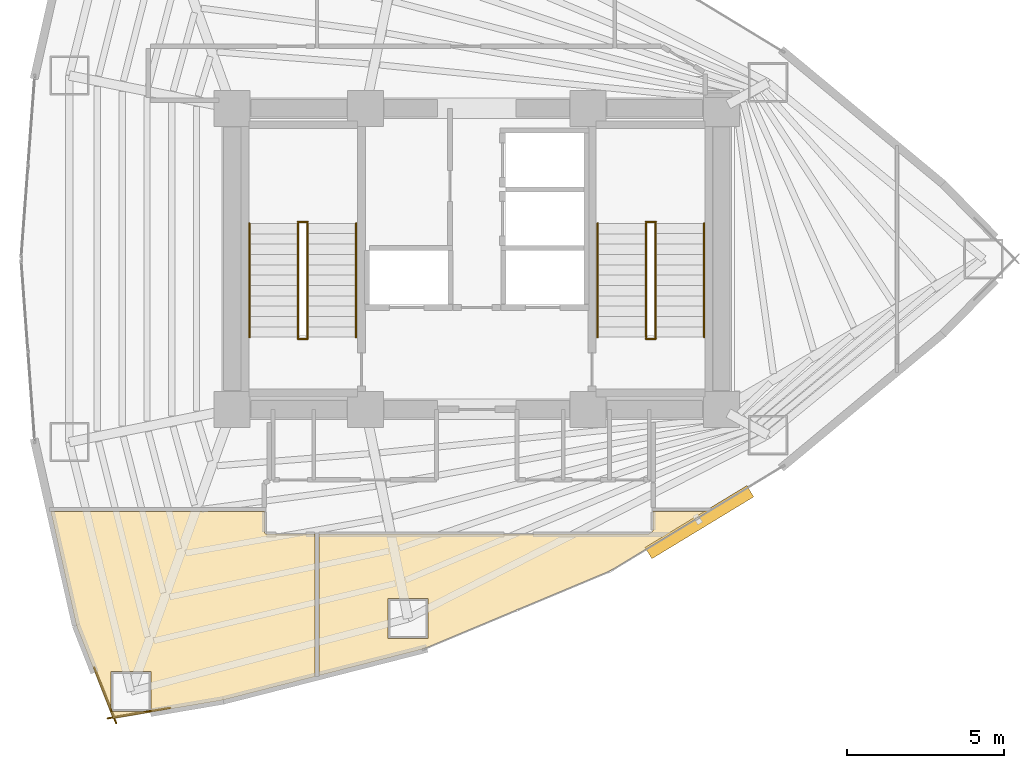
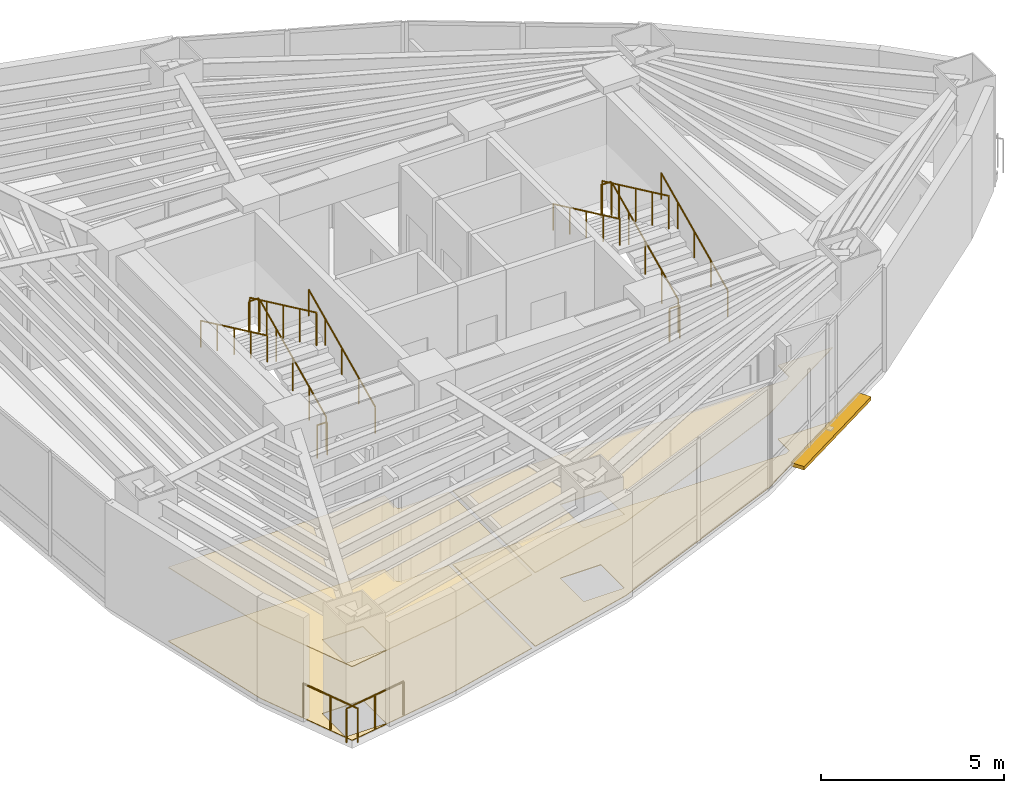
# One storey, part 17 of 18: 14 railings, 4 coverings, 1 shading device.
"""IFC4 building model written with IfcOpenShell, lengths in metres."""

from ifc_helpers import new_model, si_unit, direction, frame, origin, origin_2d, place, context, subcontext, project, spatial, polyline, rectangle, circle, outline, extrude, material, layer, layer_set, type_object, element, save


model = new_model("IFC4")

# Units and contexts
model_context = context("Model", 3, precision=1e-05, world=origin(), true_north=direction((0.0, 1.0)))
body_context = subcontext(model_context, "Body", "Model", "MODEL_VIEW")
ifc_project = project(units=[si_unit("LENGTHUNIT", "METRE"), si_unit("AREAUNIT", "SQUARE_METRE"), si_unit("VOLUMEUNIT", "CUBIC_METRE"), si_unit("PLANEANGLEUNIT", "RADIAN"), si_unit("MASSUNIT", "GRAM", prefix="KILO")], contexts=[model_context])

# Site, building, storey
site_placement = place(None, origin())
site = spatial("IfcSite", under=ifc_project, at=site_placement, CompositionType="ELEMENT")
building_placement = place(site_placement, origin())
building = spatial("IfcBuilding", under=site, at=building_placement, Name="Menara Vayukalpa", CompositionType="ELEMENT")
storey_placement = place(building_placement, frame((0.0, 0.0, 126.300048828125)))
storey = spatial("IfcBuildingStorey", under=building, at=storey_placement, Name="L31", CompositionType="ELEMENT", Elevation=126.300048828125)

# Coverings
ifc_material_1 = material(Name="Mineral Fibre Acoustic Ceiling Tile", Category="masonry")
ifc_layer_1 = layer(ifc_material_1, 0.02490234375)
ifc_layer_set_1 = layer_set([ifc_layer_1], Name="Mineral Fibre Acoustic Ceiling Tile")
covering_type_1 = type_object("IfcCoveringType", Name="COV-CLG1", PredefinedType="CEILING", material=ifc_layer_set_1)
covering_1_placement = place(storey_placement, frame((0.0, 0.0, 2.449951171875)))
element("IfcCovering", 1, at=covering_1_placement, inside=storey, type_object=covering_type_1, Name="L31 Technical Reference Library Acoustic Ceiling", PredefinedType="CEILING", context=body_context, shape_type="SweptSolid", body=[
    extrude(outline(polyline([(14.00830078125, 7.33642578125), (14.00732421875, 7.33642578125), (14.00634765625, 7.33642578125), (14.005615234375, 7.33642578125), (14.00439453125, 7.336669921875), (14.003662109375, 7.3369140625), (14.002685546875, 7.33740234375), (14.001708984375, 7.337646484375), (14.0009765625, 7.338134765625), (14.000244140625, 7.3388671875), (13.99951171875, 7.339599609375), (13.998779296875, 7.340087890625), (13.998291015625, 7.341064453125), (13.997802734375, 7.341796875), (13.997314453125, 7.3427734375), (12.831787109375, 10.310791015625), (12.83154296875, 10.3115234375), (12.831298828125, 10.312255859375), (12.017822265625, 13.927734375), (12.017578125, 13.9287109375), (12.017578125, 13.9296875), (12.017578125, 13.930908203125), (12.017822265625, 13.931884765625), (12.01806640625, 13.9326171875), (12.018310546875, 13.93359375), (12.018798828125, 13.9345703125), (12.019287109375, 13.935302734375), (12.019775390625, 13.936279296875), (12.0205078125, 13.93701171875), (12.021240234375, 13.937744140625), (12.02197265625, 13.938232421875), (12.022705078125, 13.938720703125), (12.023681640625, 13.939208984375), (12.024658203125, 13.939697265625), (12.025634765625, 13.939697265625), (12.026611328125, 13.93994140625), (12.027587890625, 13.93994140625), (18.820068359375, 13.93994140625), (18.821044921875, 13.93994140625), (18.822021484375, 13.939697265625), (18.822998046875, 13.939697265625), (18.82373046875, 13.939208984375), (18.82470703125, 13.938720703125), (18.82568359375, 13.938232421875), (18.826416015625, 13.937744140625), (18.8271484375, 13.93701171875), (18.82763671875, 13.936279296875), (18.828369140625, 13.935546875), (18.828857421875, 13.934814453125), (18.8291015625, 13.933837890625), (18.82958984375, 13.932861328125), (18.829833984375, 13.931884765625), (18.830078125, 13.930908203125), (18.830078125, 13.929931640625), (18.830078125, 13.290283203125), (18.830322265625, 13.283203125), (18.831298828125, 13.2763671875), (18.8330078125, 13.269775390625), (18.835205078125, 13.26318359375), (18.838134765625, 13.257080078125), (18.841796875, 13.251220703125), (18.845947265625, 13.24560546875), (18.8505859375, 13.240478515625), (18.85546875, 13.236083984375), (18.861083984375, 13.231689453125), (18.866943359375, 13.228271484375), (18.873291015625, 13.225341796875), (18.879638671875, 13.222900390625), (18.88623046875, 13.22119140625), (18.893310546875, 13.220458984375), (18.900390625, 13.219970703125), (20.429931640625, 13.219970703125), (20.430908203125, 13.219970703125), (20.431884765625, 13.2197265625), (20.432861328125, 13.219482421875), (20.433837890625, 13.21923828125), (20.434814453125, 13.21875), (20.435546875, 13.21826171875), (20.436279296875, 13.2177734375), (20.43701171875, 13.217041015625), (20.437744140625, 13.21630859375), (20.438232421875, 13.215576171875), (20.438720703125, 13.214599609375), (20.439208984375, 13.2138671875), (20.439697265625, 13.212890625), (20.439697265625, 13.2119140625), (20.43994140625, 13.2109375), (20.43994140625, 13.2099609375), (20.43994140625, 8.686279296875), (20.43994140625, 8.685302734375), (20.439697265625, 8.68408203125), (20.439453125, 8.68310546875), (20.439208984375, 8.68212890625), (20.438720703125, 8.681396484375), (20.438232421875, 8.680419921875), (20.4375, 8.6796875), (20.43701171875, 8.678955078125), (20.43603515625, 8.67822265625), (20.435302734375, 8.677734375), (20.434326171875, 8.67724609375), (20.433349609375, 8.6767578125), (20.4326171875, 8.676513671875), (17.5087890625, 7.930908203125), (17.5078125, 7.9306640625), (14.00830078125, 7.33642578125)]), holes=[polyline([(15.208984375, 8.842529296875), (13.92919921875, 8.842529296875), (13.92919921875, 7.5625), (15.208984375, 7.5625), (15.208984375, 8.842529296875)])]), origin(), (0.0, 0.0, 1.0), 0.02490234375),
])
covering_2_placement = place(storey_placement, frame((0.0, 0.0, 2.449951171875)))
element("IfcCovering", 2, at=covering_2_placement, inside=storey, type_object=covering_type_1, Name="L31 Technical Reference Library Acoustic Ceiling", PredefinedType="CEILING", context=body_context, shape_type="SweptSolid", body=[
    extrude(outline(polyline([(29.860595703125, 12.053466796875), (23.90478515625, 9.562255859375), (23.903564453125, 9.561767578125), (20.572509765625, 8.712158203125), (20.571533203125, 8.7119140625), (20.570556640625, 8.7119140625), (20.569580078125, 8.7119140625), (20.568603515625, 8.7119140625), (20.567626953125, 8.712158203125), (20.56689453125, 8.71240234375), (20.56591796875, 8.712890625), (20.565185546875, 8.713134765625), (20.564208984375, 8.713623046875), (20.5634765625, 8.71435546875), (20.562744140625, 8.715087890625), (20.562255859375, 8.7158203125), (20.5615234375, 8.716552734375), (20.56103515625, 8.71728515625), (20.560791015625, 8.71826171875), (20.560302734375, 8.718994140625), (20.560302734375, 8.719970703125), (20.56005859375, 8.720947265625), (20.56005859375, 8.721923828125), (20.56005859375, 13.2099609375), (20.56005859375, 13.2109375), (20.560302734375, 13.2119140625), (20.560302734375, 13.212890625), (20.560791015625, 13.2138671875), (20.561279296875, 13.214599609375), (20.561767578125, 13.215576171875), (20.562255859375, 13.21630859375), (20.56298828125, 13.217041015625), (20.563720703125, 13.2177734375), (20.564453125, 13.21826171875), (20.565185546875, 13.21875), (20.566162109375, 13.21923828125), (20.567138671875, 13.219482421875), (20.568115234375, 13.2197265625), (20.569091796875, 13.219970703125), (20.570068359375, 13.219970703125), (31.048828125, 13.219970703125), (31.055419921875, 13.22021484375), (31.0615234375, 13.22119140625), (31.06787109375, 13.22265625), (31.073974609375, 13.224609375), (31.079833984375, 13.22705078125), (31.085693359375, 13.230224609375), (31.186279296875, 13.29150390625), (31.192138671875, 13.295654296875), (31.19775390625, 13.30029296875), (31.202880859375, 13.305419921875), (31.207275390625, 13.31103515625), (31.2109375, 13.317138671875), (31.214111328125, 13.323486328125), (31.216796875, 13.330078125), (31.218505859375, 13.337158203125), (31.219482421875, 13.34423828125), (31.219970703125, 13.3515625), (31.219970703125, 13.929931640625), (31.219970703125, 13.930908203125), (31.22021484375, 13.931884765625), (31.220458984375, 13.932861328125), (31.220703125, 13.933837890625), (31.22119140625, 13.934814453125), (31.2216796875, 13.935546875), (31.222412109375, 13.936279296875), (31.222900390625, 13.93701171875), (31.2236328125, 13.937744140625), (31.224365234375, 13.938232421875), (31.225341796875, 13.938720703125), (31.226318359375, 13.939208984375), (31.22705078125, 13.939697265625), (31.22802734375, 13.939697265625), (31.22900390625, 13.93994140625), (31.22998046875, 13.93994140625), (32.9306640625, 13.93994140625), (32.931640625, 13.93994140625), (32.9326171875, 13.939697265625), (32.93359375, 13.939697265625), (32.9345703125, 13.939208984375), (32.935546875, 13.938720703125), (32.936279296875, 13.938232421875), (32.93701171875, 13.937744140625), (32.93798828125, 13.93701171875), (32.9384765625, 13.936279296875), (32.939208984375, 13.935302734375), (32.939697265625, 13.9345703125), (32.93994140625, 13.93359375), (32.940185546875, 13.9326171875), (32.940673828125, 13.931640625), (32.940673828125, 13.9306640625), (32.940673828125, 13.9296875), (32.940673828125, 13.9287109375), (32.9404296875, 13.927734375), (32.940185546875, 13.9267578125), (32.939697265625, 13.92578125), (32.939208984375, 13.925048828125), (32.938720703125, 13.924072265625), (32.938232421875, 13.92333984375), (32.9375, 13.922607421875), (32.936767578125, 13.922119140625), (32.935791015625, 13.92138671875), (29.862060546875, 12.05419921875), (29.861328125, 12.0537109375), (29.860595703125, 12.053466796875)]), holes=[polyline([(24.048095703125, 11.172607421875), (22.768310546875, 11.172607421875), (22.768310546875, 9.892578125), (24.048095703125, 9.892578125), (24.048095703125, 11.172607421875)])]), origin(), (0.0, 0.0, 1.0), 0.02490234375),
])
ifc_material_2 = material(Name="Porcelain Stoneware Floor Tile", Category="masonry")
ifc_layer_2 = layer(ifc_material_2, 0.02001953125)
ifc_layer_set_2 = layer_set([ifc_layer_2], Name="Porcelain Stoneware Floor Tile")
covering_type_2 = type_object("IfcCoveringType", Name="COV-FLR1", PredefinedType="FLOORING", material=ifc_layer_set_2)
covering_3_placement = place(storey_placement, origin())
element("IfcCovering", 3, at=covering_3_placement, inside=storey, type_object=covering_type_2, Name="L31 Technical Reference Library Porcelain Flooring", PredefinedType="FLOORING", context=body_context, shape_type="SweptSolid", body=[
    extrude(outline(polyline([(14.00830078125, 7.33642578125), (14.00732421875, 7.33642578125), (14.00634765625, 7.33642578125), (14.005615234375, 7.33642578125), (14.00439453125, 7.336669921875), (14.003662109375, 7.3369140625), (14.002685546875, 7.33740234375), (14.001708984375, 7.337646484375), (14.0009765625, 7.338134765625), (14.000244140625, 7.3388671875), (13.99951171875, 7.339599609375), (13.998779296875, 7.340087890625), (13.998291015625, 7.341064453125), (13.997802734375, 7.341796875), (13.997314453125, 7.3427734375), (12.831787109375, 10.310791015625), (12.83154296875, 10.3115234375), (12.831298828125, 10.312255859375), (12.017822265625, 13.927734375), (12.017578125, 13.9287109375), (12.017578125, 13.9296875), (12.017578125, 13.930908203125), (12.017822265625, 13.931884765625), (12.01806640625, 13.9326171875), (12.018310546875, 13.93359375), (12.018798828125, 13.9345703125), (12.019287109375, 13.935302734375), (12.019775390625, 13.936279296875), (12.0205078125, 13.93701171875), (12.021240234375, 13.937744140625), (12.02197265625, 13.938232421875), (12.022705078125, 13.938720703125), (12.023681640625, 13.939208984375), (12.024658203125, 13.939697265625), (12.025634765625, 13.939697265625), (12.026611328125, 13.93994140625), (12.027587890625, 13.93994140625), (18.820068359375, 13.93994140625), (18.821044921875, 13.93994140625), (18.822021484375, 13.939697265625), (18.822998046875, 13.939697265625), (18.82373046875, 13.939208984375), (18.82470703125, 13.938720703125), (18.82568359375, 13.938232421875), (18.826416015625, 13.937744140625), (18.8271484375, 13.93701171875), (18.82763671875, 13.936279296875), (18.828369140625, 13.935546875), (18.828857421875, 13.934814453125), (18.8291015625, 13.933837890625), (18.82958984375, 13.932861328125), (18.829833984375, 13.931884765625), (18.830078125, 13.930908203125), (18.830078125, 13.929931640625), (18.830078125, 13.290283203125), (18.830322265625, 13.283203125), (18.831298828125, 13.2763671875), (18.8330078125, 13.269775390625), (18.835205078125, 13.26318359375), (18.838134765625, 13.257080078125), (18.841796875, 13.251220703125), (18.845947265625, 13.24560546875), (18.8505859375, 13.240478515625), (18.85546875, 13.236083984375), (18.861083984375, 13.231689453125), (18.866943359375, 13.228271484375), (18.873291015625, 13.225341796875), (18.879638671875, 13.222900390625), (18.88623046875, 13.22119140625), (18.893310546875, 13.220458984375), (18.900390625, 13.219970703125), (20.429931640625, 13.219970703125), (20.430908203125, 13.219970703125), (20.431884765625, 13.2197265625), (20.432861328125, 13.219482421875), (20.433837890625, 13.21923828125), (20.434814453125, 13.21875), (20.435546875, 13.21826171875), (20.436279296875, 13.2177734375), (20.43701171875, 13.217041015625), (20.437744140625, 13.21630859375), (20.438232421875, 13.215576171875), (20.438720703125, 13.214599609375), (20.439208984375, 13.2138671875), (20.439697265625, 13.212890625), (20.439697265625, 13.2119140625), (20.43994140625, 13.2109375), (20.43994140625, 13.2099609375), (20.43994140625, 8.686279296875), (20.43994140625, 8.685302734375), (20.439697265625, 8.68408203125), (20.439453125, 8.68310546875), (20.439208984375, 8.68212890625), (20.438720703125, 8.681396484375), (20.438232421875, 8.680419921875), (20.4375, 8.6796875), (20.43701171875, 8.678955078125), (20.43603515625, 8.67822265625), (20.435302734375, 8.677734375), (20.434326171875, 8.67724609375), (20.433349609375, 8.6767578125), (20.4326171875, 8.676513671875), (17.5087890625, 7.930908203125), (17.5078125, 7.9306640625), (14.00830078125, 7.33642578125)]), holes=[polyline([(15.208984375, 8.842529296875), (13.92919921875, 8.842529296875), (13.92919921875, 7.5625), (15.208984375, 7.5625), (15.208984375, 8.842529296875)])]), origin(), (0.0, 0.0, 1.0), 0.02001953125),
])
covering_4_placement = place(storey_placement, origin())
element("IfcCovering", 4, at=covering_4_placement, inside=storey, type_object=covering_type_2, Name="L31 Technical Reference Library Porcelain Flooring", PredefinedType="FLOORING", context=body_context, shape_type="SweptSolid", body=[
    extrude(outline(polyline([(29.860595703125, 12.053466796875), (23.90478515625, 9.562255859375), (23.903564453125, 9.561767578125), (20.572509765625, 8.712158203125), (20.571533203125, 8.7119140625), (20.570556640625, 8.7119140625), (20.569580078125, 8.7119140625), (20.568603515625, 8.7119140625), (20.567626953125, 8.712158203125), (20.56689453125, 8.71240234375), (20.56591796875, 8.712890625), (20.565185546875, 8.713134765625), (20.564208984375, 8.713623046875), (20.5634765625, 8.71435546875), (20.562744140625, 8.715087890625), (20.562255859375, 8.7158203125), (20.5615234375, 8.716552734375), (20.56103515625, 8.71728515625), (20.560791015625, 8.71826171875), (20.560302734375, 8.718994140625), (20.560302734375, 8.719970703125), (20.56005859375, 8.720947265625), (20.56005859375, 8.721923828125), (20.56005859375, 13.2099609375), (20.56005859375, 13.2109375), (20.560302734375, 13.2119140625), (20.560302734375, 13.212890625), (20.560791015625, 13.2138671875), (20.561279296875, 13.214599609375), (20.561767578125, 13.215576171875), (20.562255859375, 13.21630859375), (20.56298828125, 13.217041015625), (20.563720703125, 13.2177734375), (20.564453125, 13.21826171875), (20.565185546875, 13.21875), (20.566162109375, 13.21923828125), (20.567138671875, 13.219482421875), (20.568115234375, 13.2197265625), (20.569091796875, 13.219970703125), (20.570068359375, 13.219970703125), (31.048828125, 13.219970703125), (31.055419921875, 13.22021484375), (31.0615234375, 13.22119140625), (31.06787109375, 13.22265625), (31.073974609375, 13.224609375), (31.079833984375, 13.22705078125), (31.085693359375, 13.230224609375), (31.186279296875, 13.29150390625), (31.192138671875, 13.295654296875), (31.19775390625, 13.30029296875), (31.202880859375, 13.305419921875), (31.207275390625, 13.31103515625), (31.2109375, 13.317138671875), (31.214111328125, 13.323486328125), (31.216796875, 13.330078125), (31.218505859375, 13.337158203125), (31.219482421875, 13.34423828125), (31.219970703125, 13.3515625), (31.219970703125, 13.929931640625), (31.219970703125, 13.930908203125), (31.22021484375, 13.931884765625), (31.220458984375, 13.932861328125), (31.220703125, 13.933837890625), (31.22119140625, 13.934814453125), (31.2216796875, 13.935546875), (31.222412109375, 13.936279296875), (31.222900390625, 13.93701171875), (31.2236328125, 13.937744140625), (31.224365234375, 13.938232421875), (31.225341796875, 13.938720703125), (31.226318359375, 13.939208984375), (31.22705078125, 13.939697265625), (31.22802734375, 13.939697265625), (31.22900390625, 13.93994140625), (31.22998046875, 13.93994140625), (32.9306640625, 13.93994140625), (32.931640625, 13.93994140625), (32.9326171875, 13.939697265625), (32.93359375, 13.939697265625), (32.9345703125, 13.939208984375), (32.935546875, 13.938720703125), (32.936279296875, 13.938232421875), (32.93701171875, 13.937744140625), (32.93798828125, 13.93701171875), (32.9384765625, 13.936279296875), (32.939208984375, 13.935302734375), (32.939697265625, 13.9345703125), (32.93994140625, 13.93359375), (32.940185546875, 13.9326171875), (32.940673828125, 13.931640625), (32.940673828125, 13.9306640625), (32.940673828125, 13.9296875), (32.940673828125, 13.9287109375), (32.9404296875, 13.927734375), (32.940185546875, 13.9267578125), (32.939697265625, 13.92578125), (32.939208984375, 13.925048828125), (32.938720703125, 13.924072265625), (32.938232421875, 13.92333984375), (32.9375, 13.922607421875), (32.936767578125, 13.922119140625), (32.935791015625, 13.92138671875), (29.862060546875, 12.05419921875), (29.861328125, 12.0537109375), (29.860595703125, 12.053466796875)]), holes=[polyline([(24.048095703125, 11.172607421875), (22.768310546875, 11.172607421875), (22.768310546875, 9.892578125), (24.048095703125, 9.892578125), (24.048095703125, 11.172607421875)])]), origin(), (0.0, 0.0, 1.0), 0.02001953125),
])

# Railings
ifc_material_3 = material(Name="Laminated Glass and Stainless Steel 316 Guardrail", Category="steel")
railing_type_1 = type_object("IfcRailingType", Name="RLG-EXT115", PredefinedType="GUARDRAIL", material=ifc_material_3)
railing_1_placement = place(storey_placement, frame((13.39990234375, 8.9736328125, 0.0)))
element("IfcRailing", 5, at=railing_1_placement, inside=storey, type_object=railing_type_1, Name="L31 Column Corner Spandrel Guardrail 13-1", PredefinedType="GUARDRAIL", context=body_context, shape_type="SweptSolid", body=[
    extrude(circle(Radius=0.02392578125, at=origin_2d()), frame((0.0, 0.0, 1.1259765625), z_axis=(0.365573386764, -0.930782519652, 0.0), x_axis=(0.930782519652, 0.365573386764, 0.0)), (0.0, 0.0, 1.0), 1.91259765625),
    extrude(circle(Radius=0.02099609375, at=origin_2d()), origin(), (0.0, 0.0, 1.0), 1.101806640625),
    extrude(circle(Radius=0.02099609375, at=origin_2d()), frame((0.349609375, -0.89013671875, 0.0)), (0.0, 0.0, 1.0), 1.101806640625),
    extrude(circle(Radius=0.02099609375, at=origin_2d()), frame((0.69921875, -1.7802734375, 0.0)), (0.0, 0.0, 1.0), 1.101806640625),
])
railing_2_placement = place(storey_placement, frame((13.827880859375, 7.346435546875, 0.0)))
element("IfcRailing", 6, at=railing_2_placement, inside=storey, type_object=railing_type_1, Name="L31 Column Corner Spandrel Guardrail 14-1", PredefinedType="GUARDRAIL", context=body_context, shape_type="SweptSolid", body=[
    extrude(circle(Radius=0.02392578125, at=origin_2d()), frame((0.0, 0.0, 1.1259765625), z_axis=(0.985895977605, 0.16735925831, 0.0), x_axis=(-0.16735925831, 0.985895977605, 0.0)), (0.0, 0.0, 1.0), 2.01904296875),
    extrude(circle(Radius=0.02099609375, at=origin_2d()), origin(), (0.0, 0.0, 1.0), 1.101806640625),
    extrude(circle(Radius=0.02099609375, at=origin_2d()), frame((0.9951171875, 0.1689453125, 0.0)), (0.0, 0.0, 1.0), 1.101806640625),
    extrude(circle(Radius=0.02099609375, at=origin_2d()), frame((1.990478515625, 0.337890625, 0.0)), (0.0, 0.0, 1.0), 1.101806640625),
])
ifc_material_4 = material(Name="Powder-Coated Galvanised Steel Guardrail", Category="steel")
railing_type_2 = type_object("IfcRailingType", Name="RLG-STG110", PredefinedType="GUARDRAIL", material=ifc_material_4)
railing_3_placement = place(storey_placement, frame((20.199951171875, 19.5, 0.155029296875)))
element("IfcRailing", 7, at=railing_3_placement, inside=storey, type_object=railing_type_2, Name="L31 ST-1 stair guard 1", PredefinedType="GUARDRAIL", context=body_context, shape_type="SweptSolid", body=[
    extrude(circle(Radius=0.02392578125, at=origin_2d()), frame((0.0, 0.0, 1.09619140625), z_axis=(0.0, 0.90513990983, 0.425113800803), x_axis=(-1.0, 0.0, 0.0)), (0.0, 0.0, 1.0), 4.01025390625),
    extrude(circle(Radius=0.02099609375, at=origin_2d()), origin(), (0.0, 0.0, 1.0), 1.072021484375),
    extrude(circle(Radius=0.02099609375, at=origin_2d()), frame((0.0, 0.907470703125, 0.42626953125)), (0.0, 0.0, 1.0), 1.072021484375),
    extrude(circle(Radius=0.02099609375, at=origin_2d()), frame((0.0, 1.81494140625, 0.8525390625)), (0.0, 0.0, 1.0), 1.072021484375),
    extrude(circle(Radius=0.02099609375, at=origin_2d()), frame((0.0, 2.722412109375, 1.278564453125)), (0.0, 0.0, 1.0), 1.072021484375),
    extrude(circle(Radius=0.02099609375, at=origin_2d()), frame((0.0, 3.6298828125, 1.704833984375)), (0.0, 0.0, 1.0), 1.072021484375),
])
railing_4_placement = place(storey_placement, frame((20.2099609375, 23.179931640625, 1.85986328125)))
element("IfcRailing", 8, at=railing_4_placement, inside=storey, type_object=railing_type_2, Name="L31 ST-1 stair guard 2", PredefinedType="GUARDRAIL", context=body_context, shape_type="SweptSolid", body=[
    extrude(circle(Radius=0.02392578125, at=origin_2d()), frame((0.0, 0.0, 1.09619140625), z_axis=(-1.0, 0.0, 0.0), x_axis=(0.0, -1.0, 0.0)), (0.0, 0.0, 1.0), 0.320068359375),
    extrude(circle(Radius=0.02099609375, at=origin_2d()), origin(), (0.0, 0.0, 1.0), 1.072021484375),
    extrude(circle(Radius=0.02099609375, at=origin_2d()), frame((-0.320068359375, 0.0, 0.0)), (0.0, 0.0, 1.0), 1.072021484375),
])
railing_5_placement = place(storey_placement, frame((19.89990234375, 23.1298828125, 2.014892578125)))
element("IfcRailing", 9, at=railing_5_placement, inside=storey, type_object=railing_type_2, Name="L31 ST-1 stair guard 3", PredefinedType="GUARDRAIL", context=body_context, shape_type="SweptSolid", body=[
    extrude(circle(Radius=0.02392578125, at=origin_2d()), frame((0.0, 0.0, 1.09619140625), z_axis=(0.0, -0.90511648382, 0.425163675209), x_axis=(1.0, 0.0, 0.0)), (0.0, 0.0, 1.0), 4.010498046875),
    extrude(circle(Radius=0.02099609375, at=origin_2d()), origin(), (0.0, 0.0, 1.0), 1.072021484375),
    extrude(circle(Radius=0.02099609375, at=origin_2d()), frame((0.0, -0.907470703125, 0.42626953125)), (0.0, 0.0, 1.0), 1.072021484375),
    extrude(circle(Radius=0.02099609375, at=origin_2d()), frame((0.0, -1.81494140625, 0.8525390625)), (0.0, 0.0, 1.0), 1.072021484375),
    extrude(circle(Radius=0.02099609375, at=origin_2d()), frame((0.0, -2.722412109375, 1.27880859375)), (0.0, 0.0, 1.0), 1.072021484375),
    extrude(circle(Radius=0.02099609375, at=origin_2d()), frame((0.0, -3.6298828125, 1.705078125)), (0.0, 0.0, 1.0), 1.072021484375),
])
railing_6_placement = place(storey_placement, frame((20.2099609375, 19.449951171875, 0.0)))
element("IfcRailing", 10, at=railing_6_placement, inside=storey, type_object=railing_type_2, Name="L31 ST-1 stair guard 4", PredefinedType="GUARDRAIL", context=body_context, shape_type="SweptSolid", body=[
    extrude(circle(Radius=0.02392578125, at=origin_2d()), frame((0.0, 0.0, 1.09619140625), z_axis=(-1.0, 0.0, 0.0), x_axis=(0.0, -1.0, 0.0)), (0.0, 0.0, 1.0), 0.320068359375),
    extrude(circle(Radius=0.02099609375, at=origin_2d()), origin(), (0.0, 0.0, 1.0), 1.072021484375),
    extrude(circle(Radius=0.02099609375, at=origin_2d()), frame((-0.320068359375, 0.0, 0.0)), (0.0, 0.0, 1.0), 1.072021484375),
])
railing_7_placement = place(storey_placement, frame((31.300048828125, 19.5, 0.155029296875)))
element("IfcRailing", 11, at=railing_7_placement, inside=storey, type_object=railing_type_2, Name="L31 ST-2 stair guard 1", PredefinedType="GUARDRAIL", context=body_context, shape_type="SweptSolid", body=[
    extrude(circle(Radius=0.02392578125, at=origin_2d()), frame((0.0, 0.0, 1.09619140625), z_axis=(0.0, 0.90513990983, 0.425113800803), x_axis=(-1.0, 0.0, 0.0)), (0.0, 0.0, 1.0), 4.01025390625),
    extrude(circle(Radius=0.02099609375, at=origin_2d()), origin(), (0.0, 0.0, 1.0), 1.072021484375),
    extrude(circle(Radius=0.02099609375, at=origin_2d()), frame((0.0, 0.907470703125, 0.42626953125)), (0.0, 0.0, 1.0), 1.072021484375),
    extrude(circle(Radius=0.02099609375, at=origin_2d()), frame((0.0, 1.81494140625, 0.8525390625)), (0.0, 0.0, 1.0), 1.072021484375),
    extrude(circle(Radius=0.02099609375, at=origin_2d()), frame((0.0, 2.722412109375, 1.278564453125)), (0.0, 0.0, 1.0), 1.072021484375),
    extrude(circle(Radius=0.02099609375, at=origin_2d()), frame((0.0, 3.6298828125, 1.704833984375)), (0.0, 0.0, 1.0), 1.072021484375),
])
railing_8_placement = place(storey_placement, frame((31.31005859375, 23.179931640625, 1.85986328125)))
element("IfcRailing", 12, at=railing_8_placement, inside=storey, type_object=railing_type_2, Name="L31 ST-2 stair guard 2", PredefinedType="GUARDRAIL", context=body_context, shape_type="SweptSolid", body=[
    extrude(circle(Radius=0.02392578125, at=origin_2d()), frame((0.0, 0.0, 1.09619140625), z_axis=(-1.0, 0.0, 0.0), x_axis=(0.0, -1.0, 0.0)), (0.0, 0.0, 1.0), 0.320068359375),
    extrude(circle(Radius=0.02099609375, at=origin_2d()), origin(), (0.0, 0.0, 1.0), 1.072021484375),
    extrude(circle(Radius=0.02099609375, at=origin_2d()), frame((-0.320068359375, 0.0, 0.0)), (0.0, 0.0, 1.0), 1.072021484375),
])
railing_9_placement = place(storey_placement, frame((31.0, 23.1298828125, 2.014892578125)))
element("IfcRailing", 13, at=railing_9_placement, inside=storey, type_object=railing_type_2, Name="L31 ST-2 stair guard 3", PredefinedType="GUARDRAIL", context=body_context, shape_type="SweptSolid", body=[
    extrude(circle(Radius=0.02392578125, at=origin_2d()), frame((0.0, 0.0, 1.09619140625), z_axis=(0.0, -0.90511648382, 0.425163675209), x_axis=(1.0, 0.0, 0.0)), (0.0, 0.0, 1.0), 4.010498046875),
    extrude(circle(Radius=0.02099609375, at=origin_2d()), origin(), (0.0, 0.0, 1.0), 1.072021484375),
    extrude(circle(Radius=0.02099609375, at=origin_2d()), frame((0.0, -0.907470703125, 0.42626953125)), (0.0, 0.0, 1.0), 1.072021484375),
    extrude(circle(Radius=0.02099609375, at=origin_2d()), frame((0.0, -1.81494140625, 0.8525390625)), (0.0, 0.0, 1.0), 1.072021484375),
    extrude(circle(Radius=0.02099609375, at=origin_2d()), frame((0.0, -2.722412109375, 1.27880859375)), (0.0, 0.0, 1.0), 1.072021484375),
    extrude(circle(Radius=0.02099609375, at=origin_2d()), frame((0.0, -3.6298828125, 1.705078125)), (0.0, 0.0, 1.0), 1.072021484375),
])
railing_10_placement = place(storey_placement, frame((31.31005859375, 19.449951171875, 0.0)))
element("IfcRailing", 14, at=railing_10_placement, inside=storey, type_object=railing_type_2, Name="L31 ST-2 stair guard 4", PredefinedType="GUARDRAIL", context=body_context, shape_type="SweptSolid", body=[
    extrude(circle(Radius=0.02392578125, at=origin_2d()), frame((0.0, 0.0, 1.09619140625), z_axis=(-1.0, 0.0, 0.0), x_axis=(0.0, -1.0, 0.0)), (0.0, 0.0, 1.0), 0.320068359375),
    extrude(circle(Radius=0.02099609375, at=origin_2d()), origin(), (0.0, 0.0, 1.0), 1.072021484375),
    extrude(circle(Radius=0.02099609375, at=origin_2d()), frame((-0.320068359375, 0.0, 0.0)), (0.0, 0.0, 1.0), 1.072021484375),
])
ifc_material_5 = material(Name="Stainless Steel 316 Tubular Handrail", Category="steel")
railing_type_3 = type_object("IfcRailingType", Name="RLG-STH090", PredefinedType="HANDRAIL", material=ifc_material_5)
railing_11_placement = place(storey_placement, frame((21.75, 19.5, 0.155029296875)))
element("IfcRailing", 15, at=railing_11_placement, inside=storey, type_object=railing_type_3, Name="L31 ST-1 stair handrail 1", PredefinedType="HANDRAIL", context=body_context, shape_type="SweptSolid", body=[
    extrude(circle(Radius=0.02392578125, at=origin_2d()), frame((0.0, 0.0, 0.8759765625), z_axis=(0.0, 0.90513990983, 0.425113800803), x_axis=(-1.0, 0.0, 0.0)), (0.0, 0.0, 1.0), 4.01025390625),
    extrude(circle(Radius=0.02099609375, at=origin_2d()), origin(), (0.0, 0.0, 1.0), 0.851806640625),
    extrude(circle(Radius=0.02099609375, at=origin_2d()), frame((0.0, 0.907470703125, 0.42626953125)), (0.0, 0.0, 1.0), 0.851806640625),
    extrude(circle(Radius=0.02099609375, at=origin_2d()), frame((0.0, 1.81494140625, 0.8525390625)), (0.0, 0.0, 1.0), 0.851806640625),
    extrude(circle(Radius=0.02099609375, at=origin_2d()), frame((0.0, 2.722412109375, 1.278564453125)), (0.0, 0.0, 1.0), 0.851806640625),
    extrude(circle(Radius=0.02099609375, at=origin_2d()), frame((0.0, 3.6298828125, 1.704833984375)), (0.0, 0.0, 1.0), 0.851806640625),
])
railing_12_placement = place(storey_placement, frame((18.35009765625, 23.1298828125, 2.014892578125)))
element("IfcRailing", 16, at=railing_12_placement, inside=storey, type_object=railing_type_3, Name="L31 ST-1 stair handrail 2", PredefinedType="HANDRAIL", context=body_context, shape_type="SweptSolid", body=[
    extrude(circle(Radius=0.02392578125, at=origin_2d()), frame((0.0, 0.0, 0.8759765625), z_axis=(0.0, -0.90511648382, 0.425163675209), x_axis=(1.0, 0.0, 0.0)), (0.0, 0.0, 1.0), 4.010498046875),
    extrude(circle(Radius=0.02099609375, at=origin_2d()), origin(), (0.0, 0.0, 1.0), 0.851806640625),
    extrude(circle(Radius=0.02099609375, at=origin_2d()), frame((0.0, -0.907470703125, 0.42626953125)), (0.0, 0.0, 1.0), 0.851806640625),
    extrude(circle(Radius=0.02099609375, at=origin_2d()), frame((0.0, -1.81494140625, 0.8525390625)), (0.0, 0.0, 1.0), 0.851806640625),
    extrude(circle(Radius=0.02099609375, at=origin_2d()), frame((0.0, -2.722412109375, 1.27880859375)), (0.0, 0.0, 1.0), 0.851806640625),
    extrude(circle(Radius=0.02099609375, at=origin_2d()), frame((0.0, -3.6298828125, 1.705078125)), (0.0, 0.0, 1.0), 0.851806640625),
])
railing_13_placement = place(storey_placement, frame((32.85009765625, 19.5, 0.155029296875)))
element("IfcRailing", 17, at=railing_13_placement, inside=storey, type_object=railing_type_3, Name="L31 ST-2 stair handrail 1", PredefinedType="HANDRAIL", context=body_context, shape_type="SweptSolid", body=[
    extrude(circle(Radius=0.02392578125, at=origin_2d()), frame((0.0, 0.0, 0.8759765625), z_axis=(0.0, 0.90513990983, 0.425113800803), x_axis=(-1.0, 0.0, 0.0)), (0.0, 0.0, 1.0), 4.01025390625),
    extrude(circle(Radius=0.02099609375, at=origin_2d()), origin(), (0.0, 0.0, 1.0), 0.851806640625),
    extrude(circle(Radius=0.02099609375, at=origin_2d()), frame((0.0, 0.907470703125, 0.42626953125)), (0.0, 0.0, 1.0), 0.851806640625),
    extrude(circle(Radius=0.02099609375, at=origin_2d()), frame((0.0, 1.81494140625, 0.8525390625)), (0.0, 0.0, 1.0), 0.851806640625),
    extrude(circle(Radius=0.02099609375, at=origin_2d()), frame((0.0, 2.722412109375, 1.278564453125)), (0.0, 0.0, 1.0), 0.851806640625),
    extrude(circle(Radius=0.02099609375, at=origin_2d()), frame((0.0, 3.6298828125, 1.704833984375)), (0.0, 0.0, 1.0), 0.851806640625),
])
railing_14_placement = place(storey_placement, frame((29.449951171875, 23.1298828125, 2.014892578125)))
element("IfcRailing", 18, at=railing_14_placement, inside=storey, type_object=railing_type_3, Name="L31 ST-2 stair handrail 2", PredefinedType="HANDRAIL", context=body_context, shape_type="SweptSolid", body=[
    extrude(circle(Radius=0.02392578125, at=origin_2d()), frame((0.0, 0.0, 0.8759765625), z_axis=(0.0, -0.90511648382, 0.425163675209), x_axis=(1.0, 0.0, 0.0)), (0.0, 0.0, 1.0), 4.010498046875),
    extrude(circle(Radius=0.02099609375, at=origin_2d()), origin(), (0.0, 0.0, 1.0), 0.851806640625),
    extrude(circle(Radius=0.02099609375, at=origin_2d()), frame((0.0, -0.907470703125, 0.42626953125)), (0.0, 0.0, 1.0), 0.851806640625),
    extrude(circle(Radius=0.02099609375, at=origin_2d()), frame((0.0, -1.81494140625, 0.8525390625)), (0.0, 0.0, 1.0), 0.851806640625),
    extrude(circle(Radius=0.02099609375, at=origin_2d()), frame((0.0, -2.722412109375, 1.27880859375)), (0.0, 0.0, 1.0), 0.851806640625),
    extrude(circle(Radius=0.02099609375, at=origin_2d()), frame((0.0, -3.6298828125, 1.705078125)), (0.0, 0.0, 1.0), 0.851806640625),
])

# Shading device
ifc_material_6 = material(Name="Glazed Terracotta Ceramic Baguette Extrusion", Category="masonry")
ifc_layer_3 = layer(ifc_material_6, 0.1201171875)
ifc_layer_set_3 = layer_set([ifc_layer_3], Name="Glazed Terracotta Ceramic Baguette Extrusion")
shading_device_type = type_object("IfcShadingDeviceType", Name="SHD-SS1", PredefinedType="USERDEFINED", material=ifc_layer_set_3)
shading_device_placement = place(storey_placement, frame((32.698486328125, 13.601806640625, -0.10009765625), z_axis=(0.0, 0.0, 1.0), x_axis=(0.85466730962, 0.519176068272, 0.0)))
element("IfcShadingDevice", 19, at=shading_device_placement, inside=storey, type_object=shading_device_type, Name="L31 Horizontal Terracotta Sunshade Band 17", ObjectType="SUNSHADE", PredefinedType="USERDEFINED", context=body_context, shape_type="SweptSolid", body=[
    extrude(rectangle(XDim=3.800048828125, YDim=0.419921875, at=origin_2d()), origin(), (0.0, 0.0, 1.0), 0.1201171875),
])

save(model, "model.ifc")
